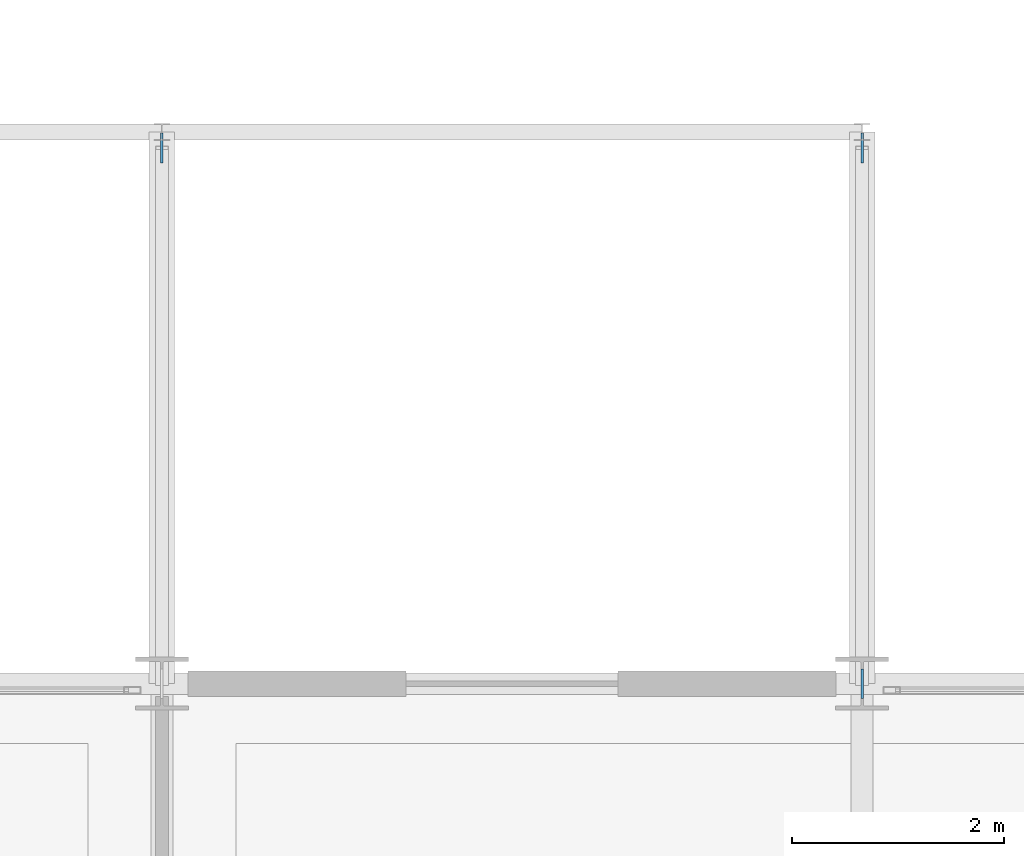
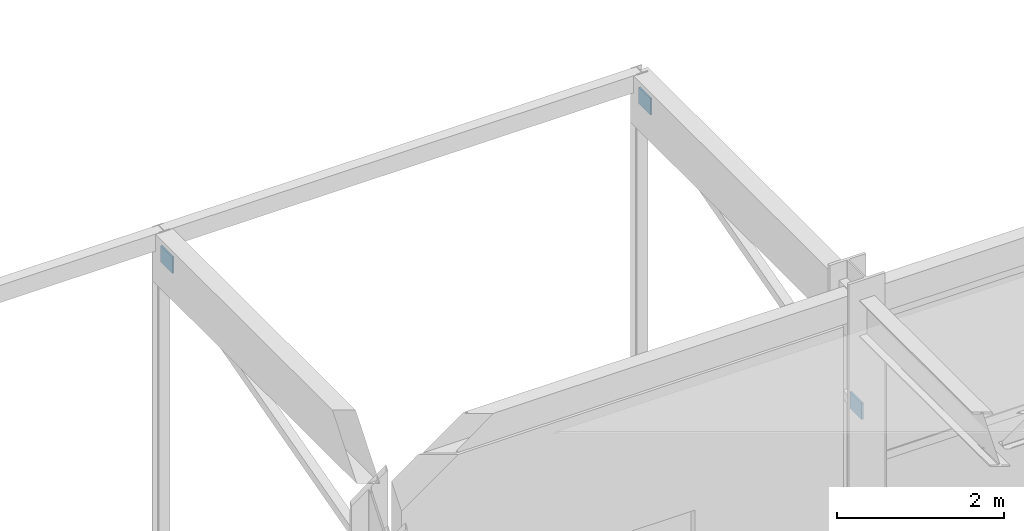
# One storey, part 113 of 144: 3 plates.
"""IFC4 building model written with IfcOpenShell, lengths in metres."""

from ifc_helpers import new_model, si_unit, direction, frame, origin, origin_2d, place, context, subcontext, project, spatial, rectangle, extrude, material, layer, layer_set, type_object, element, save


model = new_model("IFC4")

# Units and contexts
model_context = context("Model", 3, precision=1e-05, world=origin(), true_north=direction((0.0, 1.0)))
body_context = subcontext(model_context, "Body", "Model", "MODEL_VIEW")
ifc_project = project(units=[si_unit("LENGTHUNIT", "METRE"), si_unit("AREAUNIT", "SQUARE_METRE"), si_unit("VOLUMEUNIT", "CUBIC_METRE"), si_unit("PLANEANGLEUNIT", "RADIAN"), si_unit("MASSUNIT", "GRAM", prefix="KILO")], contexts=[model_context])

# Site, building, storey
site_placement = place(None, origin())
site = spatial("IfcSite", under=ifc_project, at=site_placement, CompositionType="ELEMENT")
building_placement = place(site_placement, origin())
building = spatial("IfcBuilding", under=site, at=building_placement, Name="Karori Crest Natural Sciences Institute", CompositionType="ELEMENT")
storey_placement = place(building_placement, origin())
storey = spatial("IfcBuildingStorey", under=building, at=storey_placement, Name="L00", CompositionType="ELEMENT", Elevation=0.0)

# Plates
ifc_material = material(Name="Structural steel AS/NZS 3679.1 Grade 350", Category="steel")
ifc_layer = layer(ifc_material, 0.02490234375, Name="Structural steel AS/NZS 3679.1 Grade 350")
ifc_layer_set = layer_set([ifc_layer], Name="Structural steel AS/NZS 3679.1 Grade 350")
plate_type = type_object("IfcPlateType", Name="PLT-06-EL", PredefinedType="SHEET", material=ifc_layer_set)
for number, where, z_axis, x_axis, name in (
    (1, (116.800048828125, 25.64990234375, 4.16015625), (0.0, 0.0, 1.0), (0.0, 1.0, 0.0), "Brace gusset plate EP-0459"),
    (2, (123.39990234375, 20.60009765625, 2.77978515625), (0.0, 0.0, 1.0), (0.0, 1.0, 0.0), "Brace gusset plate EP-0462"),
    (3, (123.39990234375, 25.64990234375, 4.16015625), (0.0, 0.0, 1.0), (0.0, 1.0, 0.0), "Brace gusset plate EP-0463"),
):
    element("IfcPlate", number, at=place(storey_placement, frame(where, z_axis=z_axis, x_axis=x_axis)), inside=storey, type_object=plate_type, Name=name, PredefinedType="SHEET", context=body_context, shape_type="SweptSolid", body=[
        extrude(rectangle(XDim=0.280029296875, YDim=0.02490234375, at=origin_2d()), origin(), (0.0, 0.0, 1.0), 0.239990234375),
    ])

save(model, "model.ifc")
